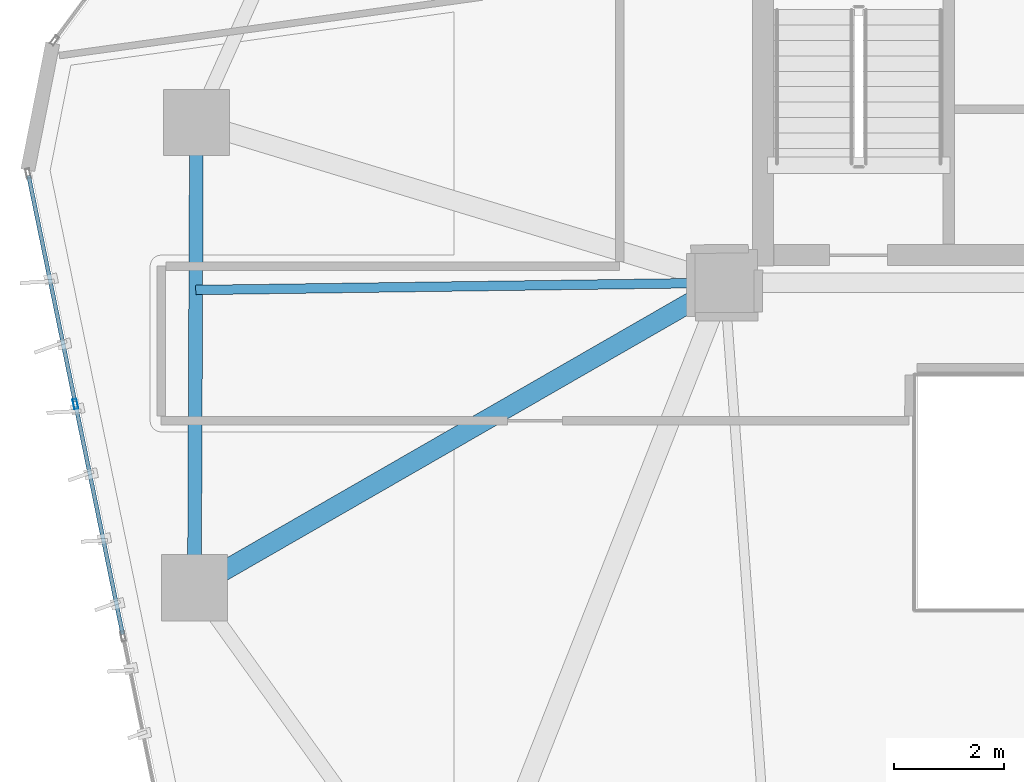
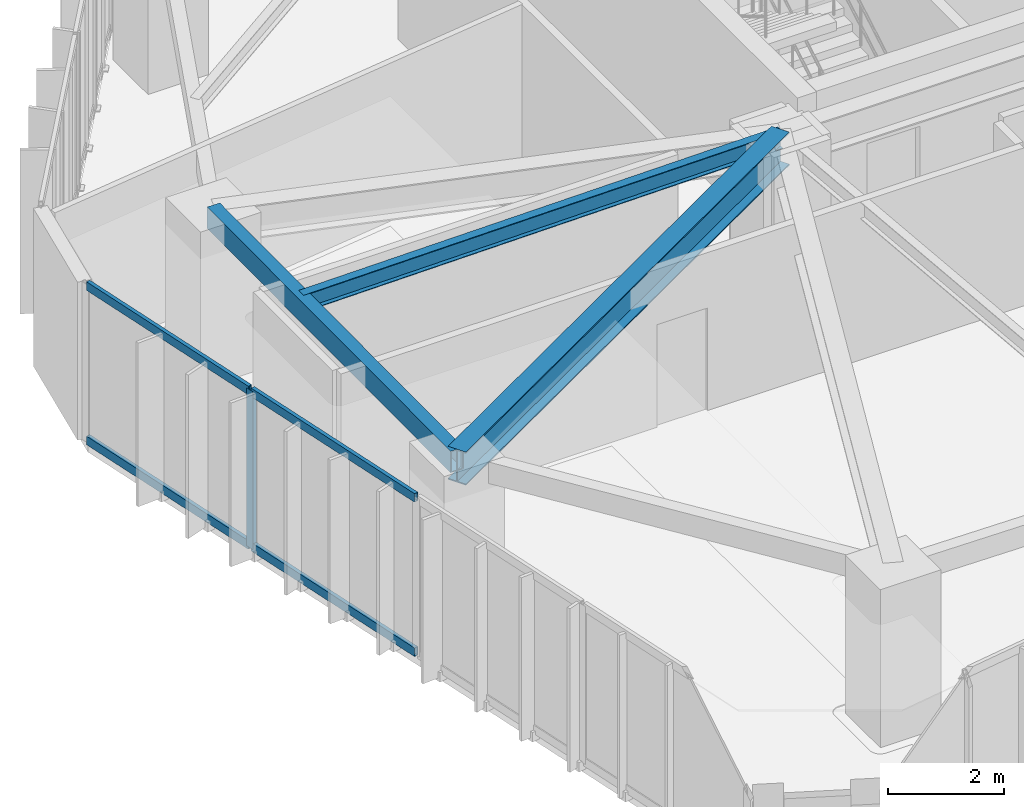
# One storey, part 4 of 23: 5 members, 3 beams, 1 element without a shape of its own.
"""IFC4 building model written with IfcOpenShell, lengths in metres."""

from ifc_helpers import new_model, si_unit, direction, frame, origin, origin_2d, place, context, subcontext, project, spatial, hollow_rectangle, i_section, extrude, source, transform, mapped, material, layer, layer_set, material_profile, profile_set, type_object, type_shapes, element, aggregate, save


model = new_model("IFC4")

# Units and contexts
model_context = context("Model", 3, precision=1e-05, world=origin(), true_north=direction((0.0, 1.0)))
body_context = subcontext(model_context, "Body", "Model", "MODEL_VIEW")
ifc_project = project(units=[si_unit("LENGTHUNIT", "METRE"), si_unit("AREAUNIT", "SQUARE_METRE"), si_unit("VOLUMEUNIT", "CUBIC_METRE"), si_unit("PLANEANGLEUNIT", "RADIAN"), si_unit("MASSUNIT", "GRAM", prefix="KILO")], contexts=[model_context])

# Site, building, storey
site_placement = place(None, origin())
site = spatial("IfcSite", under=ifc_project, at=site_placement, CompositionType="ELEMENT")
building_placement = place(site_placement, origin())
building = spatial("IfcBuilding", under=site, at=building_placement, Name="Talar Marvaseh", CompositionType="ELEMENT")
storey_placement = place(building_placement, frame((0.0, 0.0, 118.199951171875)))
storey = spatial("IfcBuildingStorey", under=building, at=storey_placement, Name="L30", CompositionType="ELEMENT", Elevation=118.199951171875)

# Beams
ifc_material_1 = material(Name="Steel S355", Category="steel")
ifc_material_profile_1 = material_profile(ifc_material_1, hollow_rectangle(XDim=0.25, YDim=0.449951171875, WallThickness=0.01611328125, at=origin_2d()), Name="RHS450x250x16")
ifc_profile_set_1 = profile_set([ifc_material_profile_1], Name="Steel S355")
beam_type_1 = type_object("IfcBeamType", Name="Zone 2 Perimeter Spandrel Beam RHS450x250x16", PredefinedType="SPANDREL", material=ifc_profile_set_1)
beam_1_placement = place(storey_placement, frame((9.10107421875, 19.97705078125, 3.0849609375), z_axis=(0.004375628226, 0.999990426893, 0.0), x_axis=(-0.999990426893, 0.004375628226, 0.0)))
element("IfcBeam", 1, at=beam_1_placement, inside=storey, type_object=beam_type_1, Name="L30 Zone 2 Perimeter Spandrel Beam RHS450x250x16", PredefinedType="SPANDREL", context=body_context, shape_type="SweptSolid", body=[
    extrude(hollow_rectangle(XDim=0.25, YDim=0.449951171875, WallThickness=0.01611328125, at=origin_2d()), origin(), (0.0, 0.0, 1.0), 8.425048828125),
])
ifc_material_profile_2 = material_profile(ifc_material_1, i_section(OverallWidth=0.35498046875, OverallDepth=0.695068359375, WebThickness=0.015380859375, FlangeThickness=0.02490234375, at=origin_2d()), Name="W690x217")
ifc_profile_set_2 = profile_set([ifc_material_profile_2], Name="Steel S355")
beam_type_2 = type_object("IfcBeamType", Name="Zone 2 Radial Floor Girder W690x217", PredefinedType="BEAM", material=ifc_profile_set_2)
beam_2_placement = place(storey_placement, frame((9.10107421875, 19.97705078125, 2.962646484375), z_axis=(0.866765990926, 0.498715065919, 0.0), x_axis=(-0.498715065919, 0.866765990926, 0.0)))
element("IfcBeam", 2, at=beam_2_placement, inside=storey, type_object=beam_type_2, Name="L30 Zone 2 Radial Floor Girder W690x217", PredefinedType="BEAM", context=body_context, shape_type="SweptSolid", body=[
    extrude(i_section(OverallWidth=0.35498046875, OverallDepth=0.695068359375, WebThickness=0.015380859375, FlangeThickness=0.02490234375, at=origin_2d()), origin(), (0.0, 0.0, 1.0), 11.074462890625),
])
ifc_material_profile_3 = material_profile(ifc_material_1, i_section(OverallWidth=0.172119140625, OverallDepth=0.35791015625, WebThickness=0.0078125, FlangeThickness=0.01318359375, at=origin_2d()), Name="W360x57")
ifc_profile_set_3 = profile_set([ifc_material_profile_3], Name="Steel S355")
beam_type_3 = type_object("IfcBeamType", Name="Zone 2 Secondary Floor Joist W360x57", PredefinedType="JOIST", material=ifc_profile_set_3)
beam_3_placement = place(storey_placement, frame((9.124755859375, 25.368896484375, 3.131103515625), z_axis=(0.999906277829, 0.013690710637, 0.0), x_axis=(-0.013690710637, 0.999906277829, 0.0)))
element("IfcBeam", 3, at=beam_3_placement, inside=storey, type_object=beam_type_3, Name="L30 Zone 2 Secondary Floor Joist W360x57", PredefinedType="JOIST", context=body_context, shape_type="SweptSolid", body=[
    extrude(i_section(OverallWidth=0.172119140625, OverallDepth=0.35791015625, WebThickness=0.0078125, FlangeThickness=0.01318359375, at=origin_2d()), origin(), (0.0, 0.0, 1.0), 9.576171875),
])

# Curtain wall, members
ifc_material_2 = material(Name="Architectural Aluminium", Category="aluminium")
ifc_layer = layer(ifc_material_2, 0.199951171875)
ifc_layer_set = layer_set([ifc_layer], Name="Architectural Aluminium")
curtain_wall_type = type_object("IfcCurtainWallType", Name="Unitised Acoustic Library Curtain Wall Z2", PredefinedType="NOTDEFINED", material=ifc_layer_set)
curtain_wall_placement = place(storey_placement, origin())
curtain_wall = element("IfcCurtainWall", 4, at=curtain_wall_placement, inside=storey, type_object=curtain_wall_type, Name="L30 Unitised Acoustic Library Curtain Wall Z2", PredefinedType="NOTDEFINED")
ifc_material_profile_4 = material_profile(ifc_material_2, hollow_rectangle(XDim=0.074951171875, YDim=0.179931640625, WallThickness=0.0048828125, at=origin_2d()), Name="RHS180x75x5")
ifc_profile_set_4 = profile_set([ifc_material_profile_4], Name="Architectural Aluminium")
member_type_1 = type_object("IfcMemberType", Name="Unitised Curtain Wall Standard Mullion RHS180x75x5", PredefinedType="MULLION", material=ifc_profile_set_4)
shared_shape_1 = source(origin(), body_context, "Body", "SweptSolid", [
    extrude(hollow_rectangle(XDim=0.074951171875, YDim=0.179931640625, WallThickness=0.0048828125, at=origin_2d()), origin(), (0.0, 0.0, 1.0), 3.31005859375),
])
type_shapes(member_type_1, [shared_shape_1])
member_1_placement = place(storey_placement, frame((6.94677734375, 23.305419921875, 0.0), z_axis=(0.0, 0.0, 1.0), x_axis=(-0.979588987607, -0.201010983182, 0.0)))
member_1 = element("IfcMember", 5, at=member_1_placement, type_object=member_type_1, Name="CW-Z2 mullion 4", PredefinedType="MULLION", context=body_context, shape_type="MappedRepresentation", body=[
    mapped(shared_shape_1, transform((0.0, 0.0, 0.0), x_axis=(1.0, 0.0, 0.0), y_axis=(0.0, 1.0, 0.0), z_axis=(0.0, 0.0, 1.0), scale=1.0)),
])
ifc_material_profile_5 = material_profile(ifc_material_2, hollow_rectangle(XDim=0.074951171875, YDim=0.179931640625, WallThickness=0.0048828125, at=origin_2d()), Name="RHS180x75x5")
ifc_profile_set_5 = profile_set([ifc_material_profile_5], Name="Architectural Aluminium")
member_type_2 = type_object("IfcMemberType", Name="Unitised Curtain Wall Transom RHS180x75x5", PredefinedType="USERDEFINED", material=ifc_profile_set_5)
shared_shape_2 = source(origin(), body_context, "Body", "SweptSolid", [
    extrude(hollow_rectangle(XDim=0.074951171875, YDim=0.179931640625, WallThickness=0.0048828125, at=origin_2d()), origin(), (0.0, 0.0, 1.0), 4.185302734375),
])
member_2_placement = place(storey_placement, frame((6.939208984375, 23.34228515625, 0.03759765625), z_axis=(-0.201015909473, 0.979587976722, 0.0), x_axis=(-0.979587976722, -0.201015909473, 0.0)))
member_2 = element("IfcMember", 6, at=member_2_placement, type_object=member_type_2, Name="CW-Z2 transom 4.1", ObjectType="TRANSOM", PredefinedType="USERDEFINED", context=body_context, shape_type="MappedRepresentation", body=[
    mapped(shared_shape_2, transform((0.0, 0.0, 0.0), x_axis=(1.0, 0.0, 0.0), y_axis=(0.0, 1.0, 0.0), z_axis=(0.0, 0.0, 1.0), scale=1.0)),
])
member_3_placement = place(storey_placement, frame((6.939208984375, 23.34228515625, 3.2724609375), z_axis=(-0.201015909473, 0.979587976722, 0.0), x_axis=(-0.979587976722, -0.201015909473, 0.0)))
member_3 = element("IfcMember", 7, at=member_3_placement, type_object=member_type_2, Name="CW-Z2 transom 4.2", ObjectType="TRANSOM", PredefinedType="USERDEFINED", context=body_context, shape_type="MappedRepresentation", body=[
    mapped(shared_shape_2, transform((0.0, 0.0, 0.0), x_axis=(1.0, 0.0, 0.0), y_axis=(0.0, 1.0, 0.0), z_axis=(0.0, 0.0, 1.0), scale=1.0)),
])
shared_shape_3 = source(origin(), body_context, "Body", "SweptSolid", [
    extrude(hollow_rectangle(XDim=0.074951171875, YDim=0.179931640625, WallThickness=0.0048828125, at=origin_2d()), origin(), (0.0, 0.0, 1.0), 4.222900390625),
])
type_shapes(member_type_2, [shared_shape_2, shared_shape_3])
member_4_placement = place(storey_placement, frame((7.80322265625, 19.132080078125, 0.03759765625), z_axis=(-0.201016692424, 0.979587816057, 0.0), x_axis=(-0.979587816057, -0.201016692424, 0.0)))
member_4 = element("IfcMember", 8, at=member_4_placement, type_object=member_type_2, Name="CW-Z2 transom 3.1", ObjectType="TRANSOM", PredefinedType="USERDEFINED", context=body_context, shape_type="MappedRepresentation", body=[
    mapped(shared_shape_3, transform((0.0, 0.0, 0.0), x_axis=(1.0, 0.0, 0.0), y_axis=(0.0, 1.0, 0.0), z_axis=(0.0, 0.0, 1.0), scale=1.0)),
])
member_5_placement = place(storey_placement, frame((7.80322265625, 19.132080078125, 3.2724609375), z_axis=(-0.201016692424, 0.979587816057, 0.0), x_axis=(-0.979587816057, -0.201016692424, 0.0)))
member_5 = element("IfcMember", 9, at=member_5_placement, type_object=member_type_2, Name="CW-Z2 transom 3.2", ObjectType="TRANSOM", PredefinedType="USERDEFINED", context=body_context, shape_type="MappedRepresentation", body=[
    mapped(shared_shape_3, transform((0.0, 0.0, 0.0), x_axis=(1.0, 0.0, 0.0), y_axis=(0.0, 1.0, 0.0), z_axis=(0.0, 0.0, 1.0), scale=1.0)),
])
aggregate(curtain_wall, [member_1, member_4, member_5, member_2, member_3])

save(model, "model.ifc")
